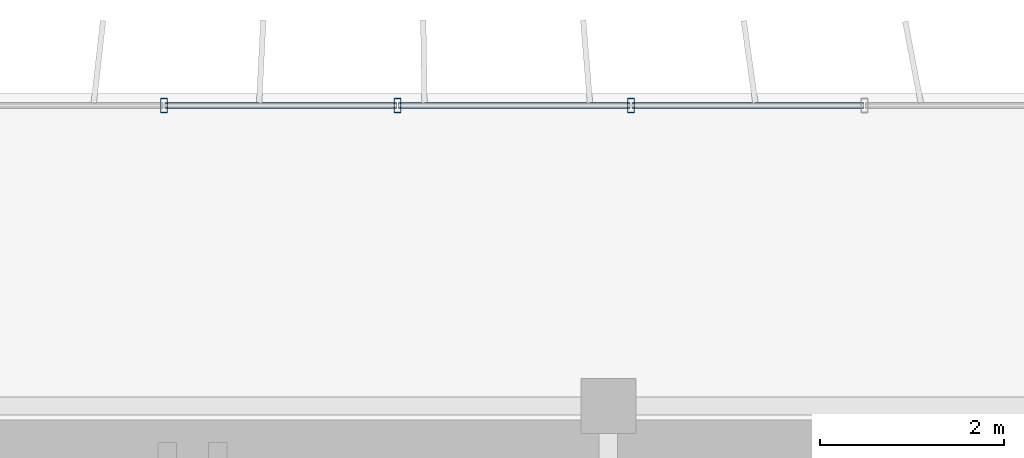
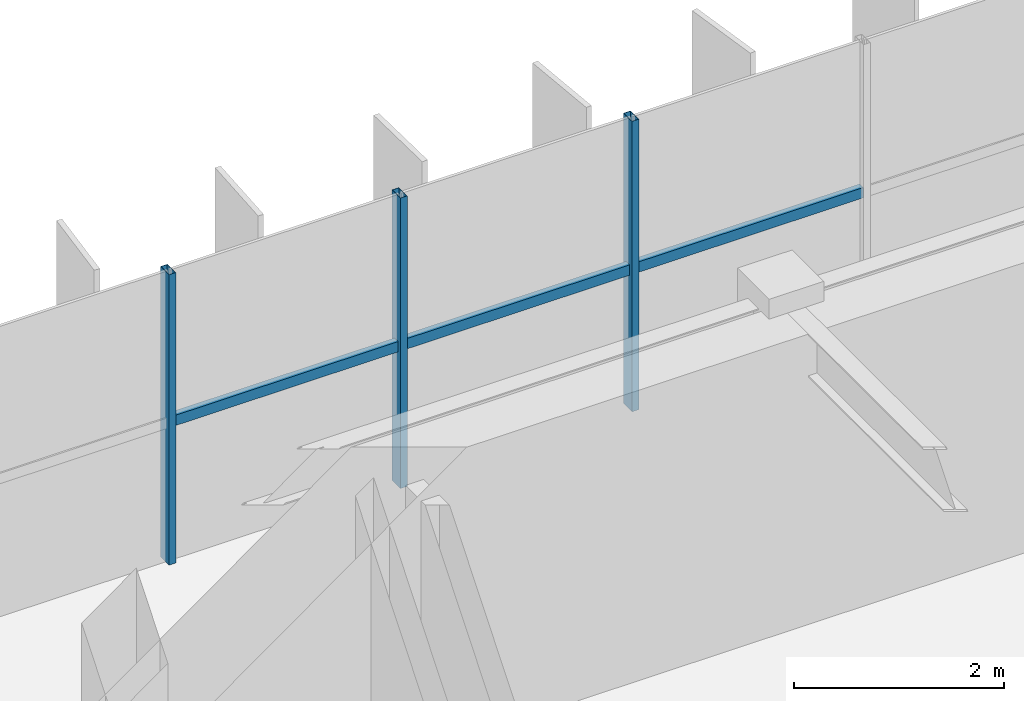
# One storey, part 8 of 23: 6 members, 1 element without a shape of its own.
"""IFC4 building model written with IfcOpenShell, lengths in metres."""

from ifc_helpers import new_model, si_unit, direction, frame, origin, origin_2d, place, context, subcontext, project, spatial, hollow_rectangle, extrude, source, transform, mapped, material, material_profile, profile_set, type_object, element, aggregate, save


model = new_model("IFC4")

# Units and contexts
model_context = context("Model", 3, precision=1e-05, world=origin(), true_north=direction((0.0, 1.0)))
body_context = subcontext(model_context, "Body", "Model", "MODEL_VIEW")
ifc_project = project(units=[si_unit("LENGTHUNIT", "METRE"), si_unit("AREAUNIT", "SQUARE_METRE"), si_unit("VOLUMEUNIT", "CUBIC_METRE"), si_unit("PLANEANGLEUNIT", "RADIAN"), si_unit("MASSUNIT", "GRAM", prefix="KILO")], contexts=[model_context])

# Site, building, storey
site_placement = place(None, origin())
site = spatial("IfcSite", under=ifc_project, at=site_placement, CompositionType="ELEMENT")
building_placement = place(site_placement, origin())
building = spatial("IfcBuilding", under=site, at=building_placement, Name="Trelvane Seafront Commons", CompositionType="ELEMENT")
storey_placement = place(building_placement, frame((0.0, 0.0, 263.10009765625)))
storey = spatial("IfcBuildingStorey", under=building, at=storey_placement, Name="L68", CompositionType="ELEMENT", Elevation=263.10009765625)

# Curtain wall, members
ifc_material = material(Name="Anodised pale-silver aluminium", Category="aluminium")
curtain_wall_type = type_object("IfcCurtainWallType", Name="ARCH-CW5-UPTOWER", PredefinedType="NOTDEFINED", material=ifc_material)
curtain_wall_placement = place(storey_placement, origin())
curtain_wall = element("IfcCurtainWall", 1, at=curtain_wall_placement, inside=storey, type_object=curtain_wall_type, Name="CW-L68-0112", PredefinedType="NOTDEFINED")
ifc_material_profile_1 = material_profile(ifc_material, hollow_rectangle(XDim=0.070068359375, YDim=0.1201171875, WallThickness=0.00390625, at=origin_2d()), Name="TRAN-70x120x4")
ifc_profile_set_1 = profile_set([ifc_material_profile_1], Name="Anodised pale-silver aluminium")
member_type_1 = type_object("IfcMemberType", Name="ARCH-CW-TRAN-120", PredefinedType="USERDEFINED", material=ifc_profile_set_1)
shared_shape_1 = source(origin(), body_context, "Body", "SweptSolid", [
    extrude(hollow_rectangle(XDim=0.070068359375, YDim=0.1201171875, WallThickness=0.00390625, at=origin_2d()), origin(), (0.0, 0.0, 1.0), 2.51708984375),
])
member_1_placement = place(storey_placement, frame((30.859130859375, 48.3701171875, 1.617919921875), z_axis=(1.0, 0.0, 0.0), x_axis=(0.0, 1.0, 0.0)))
member_1 = element("IfcMember", 2, at=member_1_placement, type_object=member_type_1, Name="CW-L68-0112-T06", ObjectType="TRANSOM", PredefinedType="USERDEFINED", context=body_context, shape_type="MappedRepresentation", body=[
    mapped(shared_shape_1, transform((0.0, 0.0, 0.0), x_axis=(1.0, 0.0, 0.0), y_axis=(0.0, 1.0, 0.0), z_axis=(0.0, 0.0, 1.0), scale=1.0)),
])
shared_shape_2 = source(origin(), body_context, "Body", "SweptSolid", [
    extrude(hollow_rectangle(XDim=0.070068359375, YDim=0.1201171875, WallThickness=0.00390625, at=origin_2d()), origin(), (0.0, 0.0, 1.0), 2.517333984375),
])
member_2_placement = place(storey_placement, frame((25.776611328125, 48.3701171875, 1.617919921875), z_axis=(1.0, 0.0, 0.0), x_axis=(0.0, 1.0, 0.0)))
member_2 = element("IfcMember", 3, at=member_2_placement, type_object=member_type_1, Name="CW-L68-0112-T04", ObjectType="TRANSOM", PredefinedType="USERDEFINED", context=body_context, shape_type="MappedRepresentation", body=[
    mapped(shared_shape_2, transform((0.0, 0.0, 0.0), x_axis=(1.0, 0.0, 0.0), y_axis=(0.0, 1.0, 0.0), z_axis=(0.0, 0.0, 1.0), scale=1.0)),
])
member_3_placement = place(storey_placement, frame((28.31787109375, 48.3701171875, 1.617919921875), z_axis=(1.0, 0.0, 0.0), x_axis=(0.0, 1.0, 0.0)))
member_3 = element("IfcMember", 4, at=member_3_placement, type_object=member_type_1, Name="CW-L68-0112-T05", ObjectType="TRANSOM", PredefinedType="USERDEFINED", context=body_context, shape_type="MappedRepresentation", body=[
    mapped(shared_shape_2, transform((0.0, 0.0, 0.0), x_axis=(1.0, 0.0, 0.0), y_axis=(0.0, 1.0, 0.0), z_axis=(0.0, 0.0, 1.0), scale=1.0)),
])
ifc_material_profile_2 = material_profile(ifc_material, hollow_rectangle(XDim=0.074951171875, YDim=0.159912109375, WallThickness=0.00390625, at=origin_2d()), Name="MULL-75x160x4")
ifc_profile_set_2 = profile_set([ifc_material_profile_2], Name="Anodised pale-silver aluminium")
member_type_2 = type_object("IfcMemberType", Name="ARCH-CW-MULL-160", PredefinedType="MULLION", material=ifc_profile_set_2)
shared_shape_3 = source(origin(), body_context, "Body", "SweptSolid", [
    extrude(hollow_rectangle(XDim=0.074951171875, YDim=0.159912109375, WallThickness=0.00390625, at=origin_2d()), origin(), (0.0, 0.0, 1.0), 3.369873046875),
])
member_4_placement = place(storey_placement, frame((25.7646484375, 48.3701171875, 0.0), z_axis=(0.0, 0.0, 1.0), x_axis=(1.0, 0.0, 0.0)))
member_4 = element("IfcMember", 5, at=member_4_placement, type_object=member_type_2, Name="CW-L68-0112-M04", PredefinedType="MULLION", context=body_context, shape_type="MappedRepresentation", body=[
    mapped(shared_shape_3, transform((0.0, 0.0, 0.0), x_axis=(1.0, 0.0, 0.0), y_axis=(0.0, 1.0, 0.0), z_axis=(0.0, 0.0, 1.0), scale=1.0)),
])
member_5_placement = place(storey_placement, frame((28.305908203125, 48.3701171875, 0.0), z_axis=(0.0, 0.0, 1.0), x_axis=(1.0, 0.0, 0.0)))
member_5 = element("IfcMember", 6, at=member_5_placement, type_object=member_type_2, Name="CW-L68-0112-M05", PredefinedType="MULLION", context=body_context, shape_type="MappedRepresentation", body=[
    mapped(shared_shape_3, transform((0.0, 0.0, 0.0), x_axis=(1.0, 0.0, 0.0), y_axis=(0.0, 1.0, 0.0), z_axis=(0.0, 0.0, 1.0), scale=1.0)),
])
member_6_placement = place(storey_placement, frame((30.84716796875, 48.3701171875, 0.0), z_axis=(0.0, 0.0, 1.0), x_axis=(1.0, 0.0, 0.0)))
member_6 = element("IfcMember", 7, at=member_6_placement, type_object=member_type_2, Name="CW-L68-0112-M06", PredefinedType="MULLION", context=body_context, shape_type="MappedRepresentation", body=[
    mapped(shared_shape_3, transform((0.0, 0.0, 0.0), x_axis=(1.0, 0.0, 0.0), y_axis=(0.0, 1.0, 0.0), z_axis=(0.0, 0.0, 1.0), scale=1.0)),
])
aggregate(curtain_wall, [member_4, member_5, member_6, member_2, member_3, member_1])

save(model, "model.ifc")
